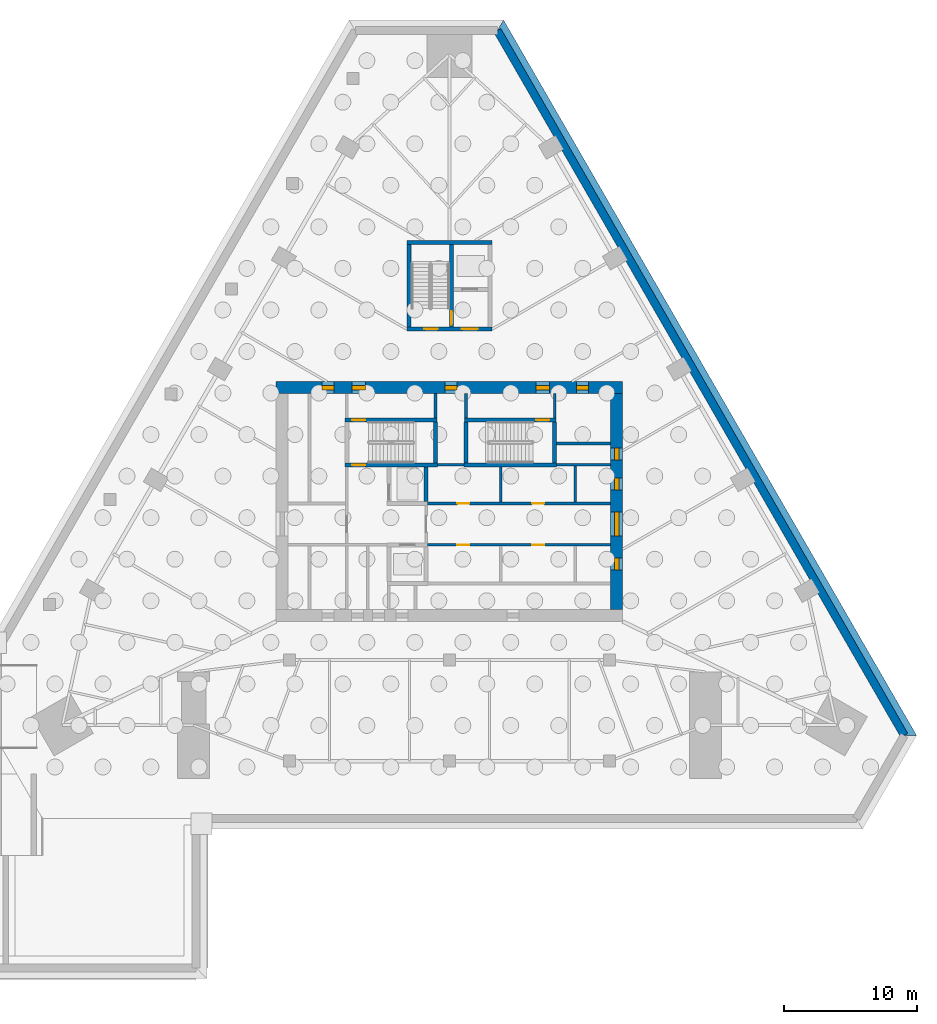
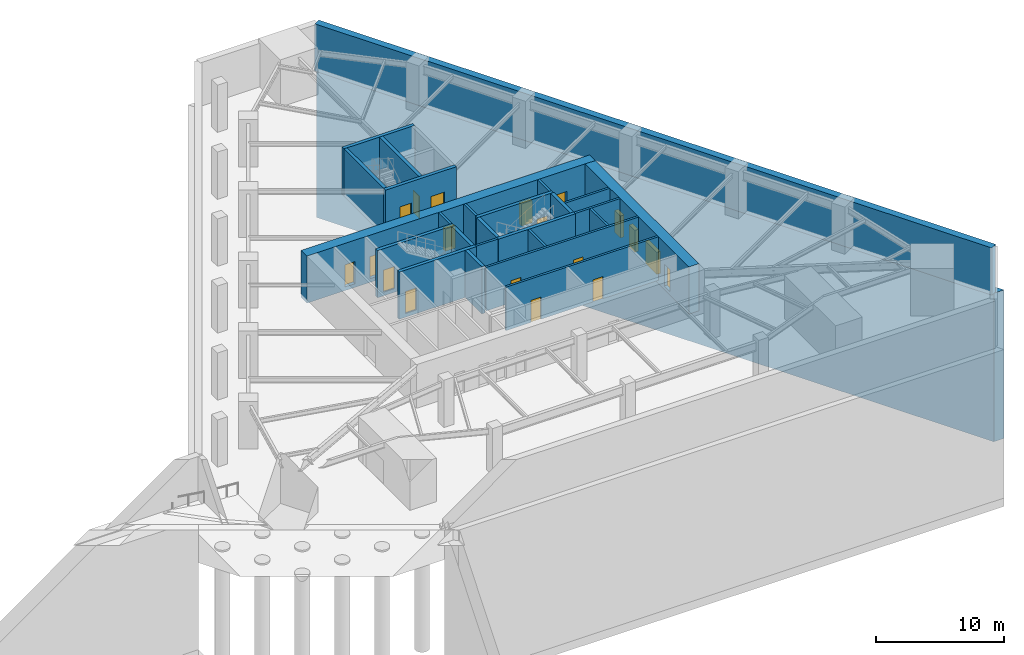
# One storey, part 5 of 8: 26 walls, 19 doors, 19 openings.
"""IFC4 building model written with IfcOpenShell, lengths in metres."""

from ifc_helpers import new_model, si_unit, direction, frame, frame_2d, origin, place, context, subcontext, project, spatial, polyline, rectangle, outline, extrude, material, layer, layer_set, type_object, element, fill, save


model = new_model("IFC4")

# Units and contexts
model_context = context("Model", 3, precision=1e-05, world=origin(), true_north=direction((0.0, 1.0)))
body_context = subcontext(model_context, "Body", "Model", "MODEL_VIEW")
ifc_project = project(units=[si_unit("LENGTHUNIT", "METRE"), si_unit("AREAUNIT", "SQUARE_METRE"), si_unit("VOLUMEUNIT", "CUBIC_METRE"), si_unit("PLANEANGLEUNIT", "RADIAN"), si_unit("MASSUNIT", "GRAM", prefix="KILO")], contexts=[model_context])

# Site, building, storey
site_placement = place(None, origin())
site = spatial("IfcSite", under=ifc_project, at=site_placement, CompositionType="ELEMENT")
building_placement = place(site_placement, origin())
building = spatial("IfcBuilding", under=site, at=building_placement, Name="Firuza Gate Tower and Library", CompositionType="ELEMENT")
storey_placement = place(building_placement, frame((0.0, 0.0, -14.0)))
storey = spatial("IfcBuildingStorey", under=building, at=storey_placement, Name="B3", CompositionType="ELEMENT", Elevation=-14.0)

# Wall, openings, doors
ifc_material_1 = material(Name="Plasterboard on steel studs", Category="steel")
ifc_layer_1 = layer(ifc_material_1, 0.199951171875)
ifc_layer_set_1 = layer_set([ifc_layer_1], Name="Core partition 200 EI 120")
wall_type_1 = type_object("IfcWallType", Name="Core partition 200 EI 120", PredefinedType="PARTITIONING", material=ifc_layer_set_1)
wall_1_placement = place(storey_placement, frame((73.35009765625, 71.75, 0.0), z_axis=(0.0, 0.0, 1.0), x_axis=(1.0, 0.0, 0.0)))
wall_1 = element("IfcWall", 1, at=wall_1_placement, inside=storey, type_object=wall_type_1, Name="Core partition B3 3", PredefinedType="PARTITIONING", context=body_context, shape_type="SweptSolid", body=[
    extrude(rectangle(XDim=13.75, YDim=0.199951171875, at=frame_2d((6.875, 0.0))), origin(), (0.0, 0.0, 1.0), 4.14990234375),
])
opening_1_placement = place(wall_1_placement, frame((2.25, 0.0, 0.0)))
opening_1 = element("IfcOpeningElement", 2, at=opening_1_placement, cuts=wall_1, Name="Opening B3-K19", PredefinedType="OPENING", context=body_context, shape_type="SweptSolid", body=[
    extrude(rectangle(XDim=0.89990234375, YDim=2.10009765625, at=frame_2d((0.449951171875, 1.050048828125))), frame((0.0, 0.10986328125, 0.0), z_axis=(0.0, -1.0, 0.0), x_axis=(1.0, 0.0, 0.0)), (0.0, 0.0, 1.0), 0.219970703125),
])
opening_2_placement = place(wall_1_placement, frame((7.85009765625, 0.0, 0.0)))
opening_2 = element("IfcOpeningElement", 3, at=opening_2_placement, cuts=wall_1, Name="Opening B3-K20", PredefinedType="OPENING", context=body_context, shape_type="SweptSolid", body=[
    extrude(rectangle(XDim=0.89990234375, YDim=2.10009765625, at=frame_2d((0.449951171875, 1.050048828125))), frame((0.0, 0.10986328125, 0.0), z_axis=(0.0, -1.0, 0.0), x_axis=(1.0, 0.0, 0.0)), (0.0, 0.0, 1.0), 0.219970703125),
])
ifc_material_2 = material(Name="Steel", Category="steel")
door_type_1 = type_object("IfcDoorType", Name="Fire door 900x2100 FD30S", OperationType="NOTDEFINED", PredefinedType="DOOR", material=ifc_material_2)
door_1_placement = place(opening_1_placement, origin())
door_1 = element("IfcDoor", 4, at=door_1_placement, inside=storey, type_object=door_type_1, Name="Door B3-K19", OperationType="SINGLE_SWING_RIGHT", OverallHeight=2.10009765625, OverallWidth=0.89990234375, PredefinedType="DOOR", context=body_context, shape_type="SweptSolid", body=[
    extrude(rectangle(XDim=0.89990234375, YDim=2.10009765625, at=frame_2d((0.449951171875, 1.050048828125))), frame((0.0, 0.02490234375, 0.0), z_axis=(0.0, -1.0, 0.0), x_axis=(1.0, 0.0, 0.0)), (0.0, 0.0, 1.0), 0.050048828125),
])
fill(opening_1, door_1)
door_2_placement = place(opening_2_placement, origin())
door_2 = element("IfcDoor", 5, at=door_2_placement, inside=storey, type_object=door_type_1, Name="Door B3-K20", OperationType="SINGLE_SWING_LEFT", OverallHeight=2.10009765625, OverallWidth=0.89990234375, PredefinedType="DOOR", context=body_context, shape_type="SweptSolid", body=[
    extrude(rectangle(XDim=0.89990234375, YDim=2.10009765625, at=frame_2d((0.449951171875, 1.050048828125))), frame((0.0, 0.02490234375, 0.0), z_axis=(0.0, -1.0, 0.0), x_axis=(1.0, 0.0, 0.0)), (0.0, 0.0, 1.0), 0.050048828125),
])
fill(opening_2, door_2)

wall_2_placement = place(storey_placement, frame((73.35009765625, 74.85009765625, 0.0), z_axis=(0.0, 0.0, 1.0), x_axis=(1.0, 0.0, 0.0)))
wall_2 = element("IfcWall", 6, at=wall_2_placement, inside=storey, type_object=wall_type_1, Name="Core partition B3 5", PredefinedType="PARTITIONING", context=body_context, shape_type="SweptSolid", body=[
    extrude(rectangle(XDim=13.75, YDim=0.199951171875, at=frame_2d((6.875, 0.0))), origin(), (0.0, 0.0, 1.0), 4.14990234375),
])
opening_3_placement = place(wall_2_placement, frame((2.25, 0.0, 0.0)))
opening_3 = element("IfcOpeningElement", 7, at=opening_3_placement, cuts=wall_2, Name="Opening B3-K25", PredefinedType="OPENING", context=body_context, shape_type="SweptSolid", body=[
    extrude(rectangle(XDim=0.89990234375, YDim=2.10009765625, at=frame_2d((0.449951171875, 1.050048828125))), frame((0.0, 0.10986328125, 0.0), z_axis=(0.0, -1.0, 0.0), x_axis=(1.0, 0.0, 0.0)), (0.0, 0.0, 1.0), 0.219970703125),
])
opening_4_placement = place(wall_2_placement, frame((7.85009765625, 0.0, 0.0)))
opening_4 = element("IfcOpeningElement", 8, at=opening_4_placement, cuts=wall_2, Name="Opening B3-K26", PredefinedType="OPENING", context=body_context, shape_type="SweptSolid", body=[
    extrude(rectangle(XDim=0.89990234375, YDim=2.10009765625, at=frame_2d((0.449951171875, 1.050048828125))), frame((0.0, 0.10986328125, 0.0), z_axis=(0.0, -1.0, 0.0), x_axis=(1.0, 0.0, 0.0)), (0.0, 0.0, 1.0), 0.219970703125),
])
door_3_placement = place(opening_3_placement, origin())
door_3 = element("IfcDoor", 9, at=door_3_placement, inside=storey, type_object=door_type_1, Name="Door B3-K25", OperationType="SINGLE_SWING_RIGHT", OverallHeight=2.10009765625, OverallWidth=0.89990234375, PredefinedType="DOOR", context=body_context, shape_type="SweptSolid", body=[
    extrude(rectangle(XDim=0.89990234375, YDim=2.10009765625, at=frame_2d((0.449951171875, 1.050048828125))), frame((0.0, 0.02490234375, 0.0), z_axis=(0.0, -1.0, 0.0), x_axis=(1.0, 0.0, 0.0)), (0.0, 0.0, 1.0), 0.050048828125),
])
fill(opening_3, door_3)
door_4_placement = place(opening_4_placement, origin())
door_4 = element("IfcDoor", 10, at=door_4_placement, inside=storey, type_object=door_type_1, Name="Door B3-K26", OperationType="SINGLE_SWING_LEFT", OverallHeight=2.10009765625, OverallWidth=0.89990234375, PredefinedType="DOOR", context=body_context, shape_type="SweptSolid", body=[
    extrude(rectangle(XDim=0.89990234375, YDim=2.10009765625, at=frame_2d((0.449951171875, 1.050048828125))), frame((0.0, 0.02490234375, 0.0), z_axis=(0.0, -1.0, 0.0), x_axis=(1.0, 0.0, 0.0)), (0.0, 0.0, 1.0), 0.050048828125),
])
fill(opening_4, door_4)

# Walls
wall_3_placement = place(storey_placement, frame((74.110107421875, 77.75, 0.0), z_axis=(0.0, 0.0, 1.0), x_axis=(1.0, 0.0, 0.0)))
element("IfcWall", 11, at=wall_3_placement, inside=storey, type_object=wall_type_1, Name="Core partition B3 6", PredefinedType="PARTITIONING", context=body_context, shape_type="SweptSolid", body=[
    extrude(rectangle(XDim=1.97998046875, YDim=0.199951171875, at=frame_2d((0.989990234375, 0.0))), origin(), (0.0, 0.0, 1.0), 4.14990234375),
])
for number, where, z_axis, x_axis, name in (
    (12, (83.050048828125, 77.75, 0.0), (0.0, 0.0, 1.0), (1.0, 0.0, 0.0), "Core partition B3 7"),
    (13, (83.050048828125, 79.35498046875, 0.0), (0.0, 0.0, 1.0), (1.0, 0.0, 0.0), "Core partition B3 8"),
):
    element("IfcWall", number, at=place(storey_placement, frame(where, z_axis=z_axis, x_axis=x_axis)), inside=storey, type_object=wall_type_1, Name=name, PredefinedType="PARTITIONING", context=body_context, shape_type="SweptSolid", body=[
        extrude(rectangle(XDim=4.050048828125, YDim=0.199951171875, at=frame_2d((2.02490234375, 0.0))), origin(), (0.0, 0.0, 1.0), 4.14990234375),
    ])
for number, where, z_axis, x_axis, name in (
    (14, (73.9599609375, 81.280029296875, 0.0), (0.0, 0.0, 1.0), (0.0, 1.0, 0.0), "Core partition B3 18"),
    (15, (76.239990234375, 81.280029296875, 0.0), (0.0, 0.0, 1.0), (0.0, 1.0, 0.0), "Core partition B3 19"),
):
    element("IfcWall", number, at=place(storey_placement, frame(where, z_axis=z_axis, x_axis=x_axis)), inside=storey, type_object=wall_type_1, Name=name, PredefinedType="PARTITIONING", context=body_context, shape_type="SweptSolid", body=[
        extrude(rectangle(XDim=1.820068359375, YDim=0.199951171875, at=frame_2d((0.91015625, 0.0))), origin(), (0.0, 0.0, 1.0), 4.14990234375),
    ])
wall_4_placement = place(storey_placement, frame((78.85009765625, 74.949951171875, 0.0), z_axis=(0.0, 0.0, 1.0), x_axis=(0.0, 1.0, 0.0)))
element("IfcWall", 16, at=wall_4_placement, inside=storey, type_object=wall_type_1, Name="Core partition B3 21", PredefinedType="PARTITIONING", context=body_context, shape_type="SweptSolid", body=[
    extrude(rectangle(XDim=2.650146484375, YDim=0.199951171875, at=frame_2d((1.3251953125, 0.0))), origin(), (0.0, 0.0, 1.0), 4.14990234375),
])
wall_5_placement = place(storey_placement, frame((82.89990234375, 81.280029296875, 0.0), z_axis=(0.0, 0.0, 1.0), x_axis=(0.0, 1.0, 0.0)))
element("IfcWall", 17, at=wall_5_placement, inside=storey, type_object=wall_type_1, Name="Core partition B3 22", PredefinedType="PARTITIONING", context=body_context, shape_type="SweptSolid", body=[
    extrude(rectangle(XDim=1.820068359375, YDim=0.199951171875, at=frame_2d((0.91015625, 0.0))), origin(), (0.0, 0.0, 1.0), 4.14990234375),
])
wall_6_placement = place(storey_placement, frame((84.449951171875, 74.949951171875, 0.0), z_axis=(0.0, 0.0, 1.0), x_axis=(0.0, 1.0, 0.0)))
element("IfcWall", 18, at=wall_6_placement, inside=storey, type_object=wall_type_1, Name="Core partition B3 24", PredefinedType="PARTITIONING", context=body_context, shape_type="SweptSolid", body=[
    extrude(rectangle(XDim=2.699951171875, YDim=0.199951171875, at=frame_2d((1.35009765625, 0.0))), origin(), (0.0, 0.0, 1.0), 4.14990234375),
])
ifc_material_3 = material(Name="Concrete C80/95", Category="concrete")
ifc_layer_2 = layer(ifc_material_3, 0.300048828125)
ifc_layer_set_2 = layer_set([ifc_layer_2], Name="Core wall 300 C80/95")
wall_type_2 = type_object("IfcWallType", Name="Core wall 300 C80/95", PredefinedType="SHEAR", material=ifc_layer_set_2)
wall_7_placement = place(storey_placement, frame((73.25, 75.0, -0.35009765625), z_axis=(0.0, 0.0, 1.0), x_axis=(0.0, 1.0, 0.0)))
element("IfcWall", 19, at=wall_7_placement, inside=storey, type_object=wall_type_2, Name="Core wall B3 11", PredefinedType="SHEAR", context=body_context, shape_type="SweptSolid", body=[
    extrude(rectangle(XDim=2.60009765625, YDim=0.300048828125, at=frame_2d((1.300048828125, 0.0))), origin(), (0.0, 0.0, 1.0), 4.5),
])

# Wall, opening, door
wall_8_placement = place(storey_placement, frame((67.14990234375, 77.75, -0.35009765625), z_axis=(0.0, 0.0, 1.0), x_axis=(1.0, 0.0, 0.0)))
wall_8 = element("IfcWall", 20, at=wall_8_placement, inside=storey, type_object=wall_type_2, Name="Core wall B3 12", PredefinedType="SHEAR", context=body_context, shape_type="SweptSolid", body=[
    extrude(rectangle(XDim=6.960205078125, YDim=0.300048828125, at=frame_2d((3.47998046875, 0.0))), origin(), (0.0, 0.0, 1.0), 4.5),
])
opening_5_placement = place(wall_8_placement, frame((0.544921875, 0.0, 0.35009765625)))
opening_5 = element("IfcOpeningElement", 21, at=opening_5_placement, cuts=wall_8, Name="Opening B3-K04", PredefinedType="OPENING", context=body_context, shape_type="SweptSolid", body=[
    extrude(rectangle(XDim=1.0, YDim=2.10009765625, at=frame_2d((0.5, 1.050048828125))), frame((0.0, 0.16015625, 0.0), z_axis=(0.0, -1.0, 0.0), x_axis=(1.0, 0.0, 0.0)), (0.0, 0.0, 1.0), 0.320068359375),
])
ifc_material_4 = material(Name="Steel", Category="steel")
door_type_2 = type_object("IfcDoorType", Name="Fire door 1000x2100 FD90", OperationType="NOTDEFINED", PredefinedType="DOOR", material=ifc_material_4)
door_5_placement = place(opening_5_placement, origin())
door_5 = element("IfcDoor", 22, at=door_5_placement, inside=storey, type_object=door_type_2, Name="Door B3-K04", OperationType="SINGLE_SWING_LEFT", OverallHeight=2.10009765625, OverallWidth=1.0, PredefinedType="DOOR", context=body_context, shape_type="SweptSolid", body=[
    extrude(rectangle(XDim=1.0, YDim=2.10009765625, at=frame_2d((0.5, 1.050048828125))), frame((0.0, 0.02490234375, 0.0), z_axis=(0.0, -1.0, 0.0), x_axis=(1.0, 0.0, 0.0)), (0.0, 0.0, 1.0), 0.050048828125),
])
fill(opening_5, door_5)

# Wall
wall_9_placement = place(storey_placement, frame((76.090087890625, 77.75, -0.35009765625), z_axis=(0.0, 0.0, 1.0), x_axis=(1.0, 0.0, 0.0)))
element("IfcWall", 23, at=wall_9_placement, inside=storey, type_object=wall_type_2, Name="Core wall B3 13", PredefinedType="SHEAR", context=body_context, shape_type="SweptSolid", body=[
    extrude(rectangle(XDim=6.9599609375, YDim=0.300048828125, at=frame_2d((3.47998046875, 0.0))), origin(), (0.0, 0.0, 1.0), 4.5),
])

# Wall, opening, door
wall_10_placement = place(storey_placement, frame((67.14990234375, 81.1298828125, -0.35009765625), z_axis=(0.0, 0.0, 1.0), x_axis=(1.0, 0.0, 0.0)))
wall_10 = element("IfcWall", 24, at=wall_10_placement, inside=storey, type_object=wall_type_2, Name="Core wall B3 14", PredefinedType="SHEAR", context=body_context, shape_type="SweptSolid", body=[
    extrude(rectangle(XDim=6.91015625, YDim=0.300048828125, at=frame_2d((3.455078125, 0.0))), origin(), (0.0, 0.0, 1.0), 4.5),
])
opening_6_placement = place(wall_10_placement, frame((0.544921875, 0.0, 0.35009765625)))
opening_6 = element("IfcOpeningElement", 25, at=opening_6_placement, cuts=wall_10, Name="Opening B3-K05", PredefinedType="OPENING", context=body_context, shape_type="SweptSolid", body=[
    extrude(rectangle(XDim=1.0, YDim=2.10009765625, at=frame_2d((0.5, 1.050048828125))), frame((0.0, 0.16015625, 0.0), z_axis=(0.0, -1.0, 0.0), x_axis=(1.0, 0.0, 0.0)), (0.0, 0.0, 1.0), 0.320068359375),
])
door_6_placement = place(opening_6_placement, origin())
door_6 = element("IfcDoor", 26, at=door_6_placement, inside=storey, type_object=door_type_2, Name="Door B3-K05", OperationType="SINGLE_SWING_RIGHT", OverallHeight=2.10009765625, OverallWidth=1.0, PredefinedType="DOOR", context=body_context, shape_type="SweptSolid", body=[
    extrude(rectangle(XDim=1.0, YDim=2.10009765625, at=frame_2d((0.5, 1.050048828125))), frame((0.0, 0.02490234375, 0.0), z_axis=(0.0, -1.0, 0.0), x_axis=(1.0, 0.0, 0.0)), (0.0, 0.0, 1.0), 0.050048828125),
])
fill(opening_6, door_6)

wall_11_placement = place(storey_placement, frame((76.139892578125, 81.1298828125, -0.35009765625), z_axis=(0.0, 0.0, 1.0), x_axis=(1.0, 0.0, 0.0)))
wall_11 = element("IfcWall", 27, at=wall_11_placement, inside=storey, type_object=wall_type_2, Name="Core wall B3 15", PredefinedType="SHEAR", context=body_context, shape_type="SweptSolid", body=[
    extrude(rectangle(XDim=6.860107421875, YDim=0.300048828125, at=frame_2d((3.43017578125, 0.0))), origin(), (0.0, 0.0, 1.0), 4.5),
])
opening_7_placement = place(wall_11_placement, frame((5.364990234375, 0.0, 0.35009765625)))
opening_7 = element("IfcOpeningElement", 28, at=opening_7_placement, cuts=wall_11, Name="Opening B3-K07", PredefinedType="OPENING", context=body_context, shape_type="SweptSolid", body=[
    extrude(rectangle(XDim=1.0, YDim=2.10009765625, at=frame_2d((0.5, 1.050048828125))), frame((0.0, 0.16015625, 0.0), z_axis=(0.0, -1.0, 0.0), x_axis=(1.0, 0.0, 0.0)), (0.0, 0.0, 1.0), 0.320068359375),
])
door_7_placement = place(opening_7_placement, origin())
door_7 = element("IfcDoor", 29, at=door_7_placement, inside=storey, type_object=door_type_2, Name="Door B3-K07", OperationType="SINGLE_SWING_RIGHT", OverallHeight=2.10009765625, OverallWidth=1.0, PredefinedType="DOOR", context=body_context, shape_type="SweptSolid", body=[
    extrude(rectangle(XDim=1.0, YDim=2.10009765625, at=frame_2d((0.5, 1.050048828125))), frame((0.0, 0.02490234375, 0.0), z_axis=(0.0, -1.0, 0.0), x_axis=(1.0, 0.0, 0.0)), (0.0, 0.0, 1.0), 0.050048828125),
])
fill(opening_7, door_7)

# Walls
for number, where, z_axis, x_axis, name in (
    (30, (73.9599609375, 77.89990234375, -0.35009765625), (0.0, 0.0, 1.0), (0.0, 1.0, 0.0), "Core wall B3 17"),
    (31, (76.239990234375, 77.89990234375, -0.35009765625), (0.0, 0.0, 1.0), (0.0, 1.0, 0.0), "Core wall B3 18"),
    (32, (82.89990234375, 77.89990234375, -0.35009765625), (0.0, 0.0, 1.0), (0.0, 1.0, 0.0), "Core wall B3 19"),
):
    element("IfcWall", number, at=place(storey_placement, frame(where, z_axis=z_axis, x_axis=x_axis)), inside=storey, type_object=wall_type_2, Name=name, PredefinedType="SHEAR", context=body_context, shape_type="SweptSolid", body=[
        extrude(rectangle(XDim=3.080078125, YDim=0.300048828125, at=frame_2d((1.5400390625, 0.0))), origin(), (0.0, 0.0, 1.0), 4.5),
    ])

# Wall, openings, doors
wall_12_placement = place(storey_placement, frame((71.800048828125, 87.949951171875, -0.35009765625), z_axis=(0.0, 0.0, 1.0), x_axis=(1.0, 0.0, 0.0)))
wall_12 = element("IfcWall", 33, at=wall_12_placement, inside=storey, type_object=wall_type_2, Name="Core wall B3 20", PredefinedType="SHEAR", context=body_context, shape_type="SweptSolid", body=[
    extrude(rectangle(XDim=6.39990234375, YDim=0.300048828125, at=frame_2d((3.199951171875, 0.0))), origin(), (0.0, 0.0, 1.0), 4.5),
])
opening_8_placement = place(wall_12_placement, frame((1.324951171875, 0.0, 0.35009765625)))
opening_8 = element("IfcOpeningElement", 34, at=opening_8_placement, cuts=wall_12, Name="Opening B3-K09", PredefinedType="OPENING", context=body_context, shape_type="SweptSolid", body=[
    extrude(rectangle(XDim=1.0, YDim=2.10009765625, at=frame_2d((0.5, 1.050048828125))), frame((0.0, 0.16015625, 0.0), z_axis=(0.0, -1.0, 0.0), x_axis=(1.0, 0.0, 0.0)), (0.0, 0.0, 1.0), 0.320068359375),
])
opening_9_placement = place(wall_12_placement, frame((4.125, 0.0, 0.35009765625)))
opening_9 = element("IfcOpeningElement", 35, at=opening_9_placement, cuts=wall_12, Name="Opening B3-K11", PredefinedType="OPENING", context=body_context, shape_type="SweptSolid", body=[
    extrude(rectangle(XDim=1.199951171875, YDim=2.10009765625, at=frame_2d((0.60009765625, 1.050048828125))), frame((0.0, 0.16015625, 0.0), z_axis=(0.0, -1.0, 0.0), x_axis=(1.0, 0.0, 0.0)), (0.0, 0.0, 1.0), 0.320068359375),
])
door_8_placement = place(opening_8_placement, origin())
door_8 = element("IfcDoor", 36, at=door_8_placement, inside=storey, type_object=door_type_2, Name="Door B3-K09", OperationType="SINGLE_SWING_RIGHT", OverallHeight=2.10009765625, OverallWidth=1.0, PredefinedType="DOOR", context=body_context, shape_type="SweptSolid", body=[
    extrude(rectangle(XDim=1.0, YDim=2.10009765625, at=frame_2d((0.5, 1.050048828125))), frame((0.0, 0.02490234375, 0.0), z_axis=(0.0, -1.0, 0.0), x_axis=(1.0, 0.0, 0.0)), (0.0, 0.0, 1.0), 0.050048828125),
])
fill(opening_8, door_8)
ifc_material_5 = material(Name="Steel", Category="steel")
door_type_3 = type_object("IfcDoorType", Name="Fire door 1200x2100 FD30S", OperationType="NOTDEFINED", PredefinedType="DOOR", material=ifc_material_5)
door_9_placement = place(opening_9_placement, origin())
door_9 = element("IfcDoor", 37, at=door_9_placement, inside=storey, type_object=door_type_3, Name="Door B3-K11", OperationType="SINGLE_SWING_RIGHT", OverallHeight=2.10009765625, OverallWidth=1.199951171875, PredefinedType="DOOR", context=body_context, shape_type="SweptSolid", body=[
    extrude(rectangle(XDim=1.199951171875, YDim=2.10009765625, at=frame_2d((0.60009765625, 1.050048828125))), frame((0.0, 0.02490234375, 0.0), z_axis=(0.0, -1.0, 0.0), x_axis=(1.0, 0.0, 0.0)), (0.0, 0.0, 1.0), 0.050048828125),
])
fill(opening_9, door_9)

# Walls
wall_13_placement = place(storey_placement, frame((71.800048828125, 94.449951171875, -0.35009765625), z_axis=(0.0, 0.0, 1.0), x_axis=(1.0, 0.0, 0.0)))
element("IfcWall", 38, at=wall_13_placement, inside=storey, type_object=wall_type_2, Name="Core wall B3 21", PredefinedType="SHEAR", context=body_context, shape_type="SweptSolid", body=[
    extrude(rectangle(XDim=6.39990234375, YDim=0.300048828125, at=frame_2d((3.199951171875, 0.0))), origin(), (0.0, 0.0, 1.0), 4.5),
])
wall_14_placement = place(storey_placement, frame((71.949951171875, 88.10009765625, -0.35009765625), z_axis=(0.0, 0.0, 1.0), x_axis=(0.0, 1.0, 0.0)))
element("IfcWall", 39, at=wall_14_placement, inside=storey, type_object=wall_type_2, Name="Core wall B3 22", PredefinedType="SHEAR", context=body_context, shape_type="SweptSolid", body=[
    extrude(rectangle(XDim=6.199951171875, YDim=0.300048828125, at=frame_2d((3.10009765625, 0.0))), origin(), (0.0, 0.0, 1.0), 4.5),
])

# Wall, opening, door
wall_15_placement = place(storey_placement, frame((75.14990234375, 88.10009765625, -0.35009765625), z_axis=(0.0, 0.0, 1.0), x_axis=(0.0, 1.0, 0.0)))
wall_15 = element("IfcWall", 40, at=wall_15_placement, inside=storey, type_object=wall_type_2, Name="Core wall B3 25", PredefinedType="SHEAR", context=body_context, shape_type="SweptSolid", body=[
    extrude(rectangle(XDim=6.199951171875, YDim=0.300048828125, at=frame_2d((3.10009765625, 0.0))), origin(), (0.0, 0.0, 1.0), 4.5),
])
opening_10_placement = place(wall_15_placement, frame((0.18505859375, 0.0, 0.35009765625)))
opening_10 = element("IfcOpeningElement", 41, at=opening_10_placement, cuts=wall_15, Name="Opening B3-K10", PredefinedType="OPENING", context=body_context, shape_type="SweptSolid", body=[
    extrude(rectangle(XDim=1.0, YDim=2.10009765625, at=frame_2d((0.5, 1.050048828125))), frame((0.0, 0.16015625, 0.0), z_axis=(0.0, -1.0, 0.0), x_axis=(1.0, 0.0, 0.0)), (0.0, 0.0, 1.0), 0.320068359375),
])
door_10_placement = place(opening_10_placement, origin())
door_10 = element("IfcDoor", 42, at=door_10_placement, inside=storey, type_object=door_type_2, Name="Door B3-K10", OperationType="SINGLE_SWING_LEFT", OverallHeight=2.10009765625, OverallWidth=1.0, PredefinedType="DOOR", context=body_context, shape_type="SweptSolid", body=[
    extrude(rectangle(XDim=1.0, YDim=2.10009765625, at=frame_2d((0.5, 1.050048828125))), frame((0.0, 0.02490234375, 0.0), z_axis=(0.0, -1.0, 0.0), x_axis=(1.0, 0.0, 0.0)), (0.0, 0.0, 1.0), 0.050048828125),
])
fill(opening_10, door_10)

# Wall, openings, doors
ifc_material_6 = material(Name="Concrete C80/95", Category="concrete")
ifc_layer_3 = layer(ifc_material_6, 0.89990234375)
ifc_layer_set_3 = layer_set([ifc_layer_3], Name="Core wall 900 C80/95")
wall_type_3 = type_object("IfcWallType", Name="Core wall 900 C80/95", PredefinedType="SHEAR", material=ifc_layer_set_3)
wall_16_placement = place(storey_placement, frame((62.0, 83.550048828125, -0.35009765625), z_axis=(0.0, 0.0, 1.0), x_axis=(1.0, 0.0, 0.0)))
wall_16 = element("IfcWall", 43, at=wall_16_placement, inside=storey, type_object=wall_type_3, Name="Core wall B3 2", PredefinedType="SHEAR", context=body_context, shape_type="SweptSolid", body=[
    extrude(rectangle(XDim=26.0, YDim=0.89990234375, at=frame_2d((13.0, 0.0))), origin(), (0.0, 0.0, 1.0), 4.5),
])
opening_11_placement = place(wall_16_placement, frame((5.695068359375, 0.0, 0.35009765625)))
opening_11 = element("IfcOpeningElement", 44, at=opening_11_placement, cuts=wall_16, Name="Opening B3-K06", PredefinedType="OPENING", context=body_context, shape_type="SweptSolid", body=[
    extrude(rectangle(XDim=1.0, YDim=2.10009765625, at=frame_2d((0.5, 1.050048828125))), frame((0.0, 0.4599609375, 0.0), z_axis=(0.0, -1.0, 0.0), x_axis=(1.0, 0.0, 0.0)), (0.0, 0.0, 1.0), 0.919921875),
])
opening_12_placement = place(wall_16_placement, frame((19.5048828125, 0.0, 0.35009765625)))
opening_12 = element("IfcOpeningElement", 45, at=opening_12_placement, cuts=wall_16, Name="Opening B3-K08", PredefinedType="OPENING", context=body_context, shape_type="SweptSolid", body=[
    extrude(rectangle(XDim=1.0, YDim=2.10009765625, at=frame_2d((0.5, 1.050048828125))), frame((0.0, 0.4599609375, 0.0), z_axis=(0.0, -1.0, 0.0), x_axis=(1.0, 0.0, 0.0)), (0.0, 0.0, 1.0), 0.919921875),
])
opening_13_placement = place(wall_16_placement, frame((3.449951171875, 0.0, 0.35009765625)))
opening_13 = element("IfcOpeningElement", 46, at=opening_13_placement, cuts=wall_16, Name="Opening B3-K24", PredefinedType="OPENING", context=body_context, shape_type="SweptSolid", body=[
    extrude(rectangle(XDim=0.89990234375, YDim=2.10009765625, at=frame_2d((0.449951171875, 1.050048828125))), frame((0.0, 0.4599609375, 0.0), z_axis=(0.0, -1.0, 0.0), x_axis=(1.0, 0.0, 0.0)), (0.0, 0.0, 1.0), 0.919921875),
])
opening_14_placement = place(wall_16_placement, frame((12.64990234375, 0.0, 0.35009765625)))
opening_14 = element("IfcOpeningElement", 47, at=opening_14_placement, cuts=wall_16, Name="Opening B3-K28", PredefinedType="OPENING", context=body_context, shape_type="SweptSolid", body=[
    extrude(rectangle(XDim=0.89990234375, YDim=2.10009765625, at=frame_2d((0.449951171875, 1.050048828125))), frame((0.0, 0.4599609375, 0.0), z_axis=(0.0, -1.0, 0.0), x_axis=(1.0, 0.0, 0.0)), (0.0, 0.0, 1.0), 0.919921875),
])
opening_15_placement = place(wall_16_placement, frame((22.550048828125, 0.0, 0.35009765625)))
opening_15 = element("IfcOpeningElement", 48, at=opening_15_placement, cuts=wall_16, Name="Opening B3-K30", PredefinedType="OPENING", context=body_context, shape_type="SweptSolid", body=[
    extrude(rectangle(XDim=0.89990234375, YDim=2.10009765625, at=frame_2d((0.449951171875, 1.050048828125))), frame((0.0, 0.4599609375, 0.0), z_axis=(0.0, -1.0, 0.0), x_axis=(1.0, 0.0, 0.0)), (0.0, 0.0, 1.0), 0.919921875),
])
door_11_placement = place(opening_11_placement, origin())
door_11 = element("IfcDoor", 49, at=door_11_placement, inside=storey, type_object=door_type_2, Name="Door B3-K06", OperationType="SINGLE_SWING_LEFT", OverallHeight=2.10009765625, OverallWidth=1.0, PredefinedType="DOOR", context=body_context, shape_type="SweptSolid", body=[
    extrude(rectangle(XDim=1.0, YDim=2.10009765625, at=frame_2d((0.5, 1.050048828125))), frame((0.0, 0.169921875, 0.0), z_axis=(0.0, -1.0, 0.0), x_axis=(1.0, 0.0, 0.0)), (0.0, 0.0, 1.0), 0.33984375),
])
fill(opening_11, door_11)
door_12_placement = place(opening_12_placement, origin())
door_12 = element("IfcDoor", 50, at=door_12_placement, inside=storey, type_object=door_type_2, Name="Door B3-K08", OperationType="SINGLE_SWING_LEFT", OverallHeight=2.10009765625, OverallWidth=1.0, PredefinedType="DOOR", context=body_context, shape_type="SweptSolid", body=[
    extrude(rectangle(XDim=1.0, YDim=2.10009765625, at=frame_2d((0.5, 1.050048828125))), frame((0.0, 0.169921875, 0.0), z_axis=(0.0, -1.0, 0.0), x_axis=(1.0, 0.0, 0.0)), (0.0, 0.0, 1.0), 0.33984375),
])
fill(opening_12, door_12)
door_13_placement = place(opening_13_placement, origin())
door_13 = element("IfcDoor", 51, at=door_13_placement, inside=storey, type_object=door_type_1, Name="Door B3-K24", OperationType="SINGLE_SWING_LEFT", OverallHeight=2.10009765625, OverallWidth=0.89990234375, PredefinedType="DOOR", context=body_context, shape_type="SweptSolid", body=[
    extrude(rectangle(XDim=0.89990234375, YDim=2.10009765625, at=frame_2d((0.449951171875, 1.050048828125))), frame((0.0, 0.169921875, 0.0), z_axis=(0.0, -1.0, 0.0), x_axis=(1.0, 0.0, 0.0)), (0.0, 0.0, 1.0), 0.33984375),
])
fill(opening_13, door_13)
door_14_placement = place(opening_14_placement, origin())
door_14 = element("IfcDoor", 52, at=door_14_placement, inside=storey, type_object=door_type_1, Name="Door B3-K28", OperationType="SINGLE_SWING_LEFT", OverallHeight=2.10009765625, OverallWidth=0.89990234375, PredefinedType="DOOR", context=body_context, shape_type="SweptSolid", body=[
    extrude(rectangle(XDim=0.89990234375, YDim=2.10009765625, at=frame_2d((0.449951171875, 1.050048828125))), frame((0.0, 0.169921875, 0.0), z_axis=(0.0, -1.0, 0.0), x_axis=(1.0, 0.0, 0.0)), (0.0, 0.0, 1.0), 0.33984375),
])
fill(opening_14, door_14)
door_15_placement = place(opening_15_placement, origin())
door_15 = element("IfcDoor", 53, at=door_15_placement, inside=storey, type_object=door_type_1, Name="Door B3-K30", OperationType="SINGLE_SWING_LEFT", OverallHeight=2.10009765625, OverallWidth=0.89990234375, PredefinedType="DOOR", context=body_context, shape_type="SweptSolid", body=[
    extrude(rectangle(XDim=0.89990234375, YDim=2.10009765625, at=frame_2d((0.449951171875, 1.050048828125))), frame((0.0, 0.169921875, 0.0), z_axis=(0.0, -1.0, 0.0), x_axis=(1.0, 0.0, 0.0)), (0.0, 0.0, 1.0), 0.33984375),
])
fill(opening_15, door_15)

wall_17_placement = place(storey_placement, frame((87.550048828125, 66.89990234375, -0.35009765625), z_axis=(0.0, 0.0, 1.0), x_axis=(0.0, 1.0, 0.0)))
wall_17 = element("IfcWall", 54, at=wall_17_placement, inside=storey, type_object=wall_type_3, Name="Core wall B3 4", PredefinedType="SHEAR", context=body_context, shape_type="SweptSolid", body=[
    extrude(rectangle(XDim=16.2001953125, YDim=0.89990234375, at=frame_2d((8.10009765625, 0.0))), origin(), (0.0, 0.0, 1.0), 4.5),
])
opening_16_placement = place(wall_17_placement, frame((5.5, 0.0, 0.35009765625)))
opening_16 = element("IfcOpeningElement", 55, at=opening_16_placement, cuts=wall_17, Name="Opening B3-K15", PredefinedType="OPENING", context=body_context, shape_type="SweptSolid", body=[
    extrude(rectangle(XDim=1.800048828125, YDim=2.10009765625, at=frame_2d((0.89990234375, 1.050048828125))), frame((0.0, 0.4599609375, 0.0), z_axis=(0.0, -1.0, 0.0), x_axis=(1.0, 0.0, 0.0)), (0.0, 0.0, 1.0), 0.919921875),
])
opening_17_placement = place(wall_17_placement, frame((2.949951171875, 0.0, 0.35009765625)))
opening_17 = element("IfcOpeningElement", 56, at=opening_17_placement, cuts=wall_17, Name="Opening B3-K21", PredefinedType="OPENING", context=body_context, shape_type="SweptSolid", body=[
    extrude(rectangle(XDim=0.89990234375, YDim=2.10009765625, at=frame_2d((0.449951171875, 1.050048828125))), frame((0.0, 0.4599609375, 0.0), z_axis=(0.0, -1.0, 0.0), x_axis=(1.0, 0.0, 0.0)), (0.0, 0.0, 1.0), 0.919921875),
])
opening_18_placement = place(wall_17_placement, frame((8.949951171875, 0.0, 0.35009765625)))
opening_18 = element("IfcOpeningElement", 57, at=opening_18_placement, cuts=wall_17, Name="Opening B3-K27", PredefinedType="OPENING", context=body_context, shape_type="SweptSolid", body=[
    extrude(rectangle(XDim=0.89990234375, YDim=2.10009765625, at=frame_2d((0.449951171875, 1.050048828125))), frame((0.0, 0.4599609375, 0.0), z_axis=(0.0, -1.0, 0.0), x_axis=(1.0, 0.0, 0.0)), (0.0, 0.0, 1.0), 0.919921875),
])
opening_19_placement = place(wall_17_placement, frame((11.202392578125, 0.0, 0.35009765625)))
opening_19 = element("IfcOpeningElement", 58, at=opening_19_placement, cuts=wall_17, Name="Opening B3-K29", PredefinedType="OPENING", context=body_context, shape_type="SweptSolid", body=[
    extrude(rectangle(XDim=0.89990234375, YDim=2.10009765625, at=frame_2d((0.449951171875, 1.050048828125))), frame((0.0, 0.4599609375, 0.0), z_axis=(0.0, -1.0, 0.0), x_axis=(1.0, 0.0, 0.0)), (0.0, 0.0, 1.0), 0.919921875),
])
ifc_material_7 = material(Name="Steel", Category="steel")
door_type_4 = type_object("IfcDoorType", Name="Fire door 1800x2100 FD30S", OperationType="NOTDEFINED", PredefinedType="DOOR", material=ifc_material_7)
door_16_placement = place(opening_16_placement, origin())
door_16 = element("IfcDoor", 59, at=door_16_placement, inside=storey, type_object=door_type_4, Name="Door B3-K15", OperationType="SINGLE_SWING_RIGHT", OverallHeight=2.10009765625, OverallWidth=1.800048828125, PredefinedType="DOOR", context=body_context, shape_type="SweptSolid", body=[
    extrude(rectangle(XDim=1.800048828125, YDim=2.10009765625, at=frame_2d((0.89990234375, 1.050048828125))), frame((0.0, 0.169921875, 0.0), z_axis=(0.0, -1.0, 0.0), x_axis=(1.0, 0.0, 0.0)), (0.0, 0.0, 1.0), 0.33984375),
])
fill(opening_16, door_16)
door_17_placement = place(opening_17_placement, origin())
door_17 = element("IfcDoor", 60, at=door_17_placement, inside=storey, type_object=door_type_1, Name="Door B3-K21", OperationType="SINGLE_SWING_RIGHT", OverallHeight=2.10009765625, OverallWidth=0.89990234375, PredefinedType="DOOR", context=body_context, shape_type="SweptSolid", body=[
    extrude(rectangle(XDim=0.89990234375, YDim=2.10009765625, at=frame_2d((0.449951171875, 1.050048828125))), frame((0.0, 0.169921875, 0.0), z_axis=(0.0, -1.0, 0.0), x_axis=(1.0, 0.0, 0.0)), (0.0, 0.0, 1.0), 0.33984375),
])
fill(opening_17, door_17)
door_18_placement = place(opening_18_placement, origin())
door_18 = element("IfcDoor", 61, at=door_18_placement, inside=storey, type_object=door_type_1, Name="Door B3-K27", OperationType="SINGLE_SWING_RIGHT", OverallHeight=2.10009765625, OverallWidth=0.89990234375, PredefinedType="DOOR", context=body_context, shape_type="SweptSolid", body=[
    extrude(rectangle(XDim=0.89990234375, YDim=2.10009765625, at=frame_2d((0.449951171875, 1.050048828125))), frame((0.0, 0.169921875, 0.0), z_axis=(0.0, -1.0, 0.0), x_axis=(1.0, 0.0, 0.0)), (0.0, 0.0, 1.0), 0.33984375),
])
fill(opening_18, door_18)
door_19_placement = place(opening_19_placement, origin())
door_19 = element("IfcDoor", 62, at=door_19_placement, inside=storey, type_object=door_type_1, Name="Door B3-K29", OperationType="SINGLE_SWING_RIGHT", OverallHeight=2.10009765625, OverallWidth=0.89990234375, PredefinedType="DOOR", context=body_context, shape_type="SweptSolid", body=[
    extrude(rectangle(XDim=0.89990234375, YDim=2.10009765625, at=frame_2d((0.449951171875, 1.050048828125))), frame((0.0, 0.169921875, 0.0), z_axis=(0.0, -1.0, 0.0), x_axis=(1.0, 0.0, 0.0)), (0.0, 0.0, 1.0), 0.33984375),
])
fill(opening_19, door_19)

# Walls
ifc_material_8 = material(Name="Concrete C40/50", Category="concrete")
ifc_layer_4 = layer(ifc_material_8, 0.800048828125)
ifc_layer_set_4 = layer_set([ifc_layer_4], Name="Diaphragm wall 800 C40/50")
wall_type_4 = type_object("IfcWallType", Name="Diaphragm wall 800 C40/50", PredefinedType="SOLIDWALL", material=ifc_layer_set_4)
wall_18_placement = place(storey_placement, frame((0.0, 0.0, -14.5)))
element("IfcWall", 63, at=wall_18_placement, inside=storey, type_object=wall_type_4, Name="Diaphragm wall 3", PredefinedType="SOLIDWALL", context=body_context, shape_type="SweptSolid", body=[
    extrude(outline(polyline([(109.132080078125, 57.45068359375), (78.60009765625, 110.333740234375), (79.061767578125, 111.1337890625), (110.055908203125, 57.45068359375), (109.132080078125, 57.45068359375)])), origin(), (0.0, 0.0, 1.0), 14.14990234375),
])
ifc_material_9 = material(Name="Concrete C40/50", Category="concrete")
ifc_layer_5 = layer(ifc_material_9, 0.60009765625)
ifc_layer_set_5 = layer_set([ifc_layer_5], Name="Retaining wall 600 C40/50")
wall_type_5 = type_object("IfcWallType", Name="Retaining wall 600 C40/50", PredefinedType="SOLIDWALL", material=ifc_layer_set_5)
wall_19_placement = place(storey_placement, frame((109.132080078125, 57.45068359375, -0.35009765625), z_axis=(0.0, 0.0, 1.0), x_axis=(-0.499999206999, 0.866025861623, 0.0)))
element("IfcWall", 64, at=wall_19_placement, inside=storey, type_object=wall_type_5, Name="Retaining wall B3 3", PredefinedType="SOLIDWALL", context=body_context, shape_type="SweptSolid", body=[
    extrude(rectangle(XDim=61.06396484375, YDim=0.60009765625, at=frame_2d((30.531982421875, 0.0))), origin(), (0.0, 0.0, 1.0), 4.5),
])

save(model, "model.ifc")
